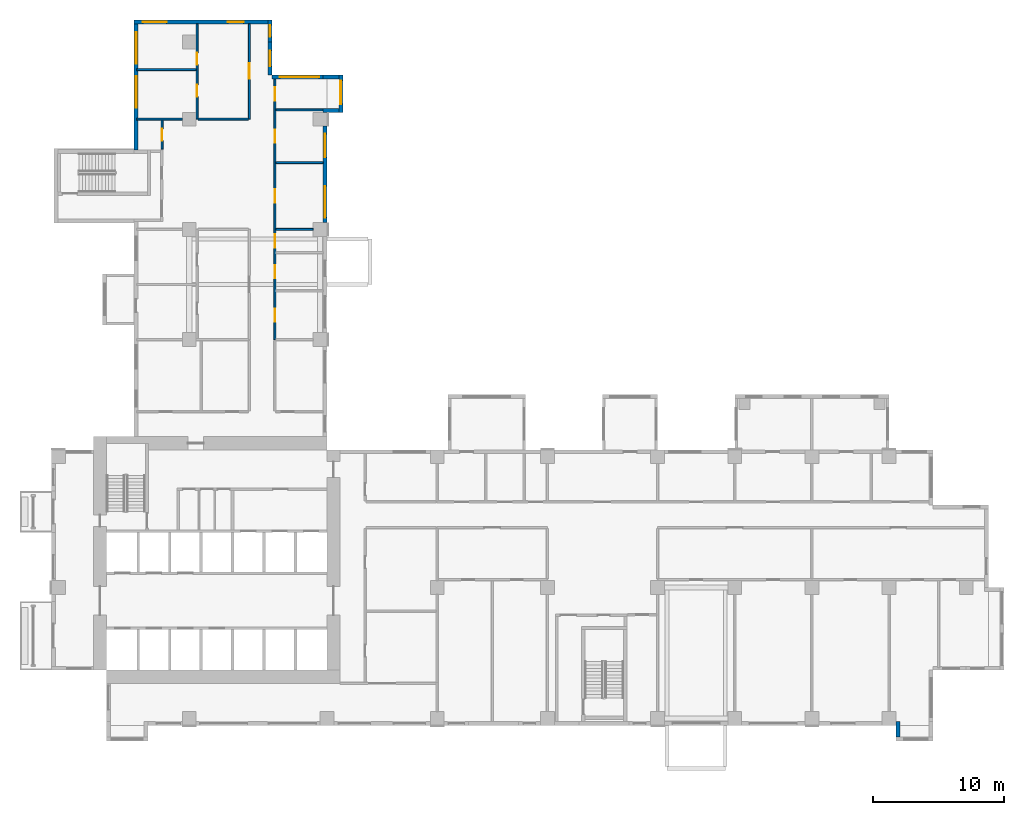
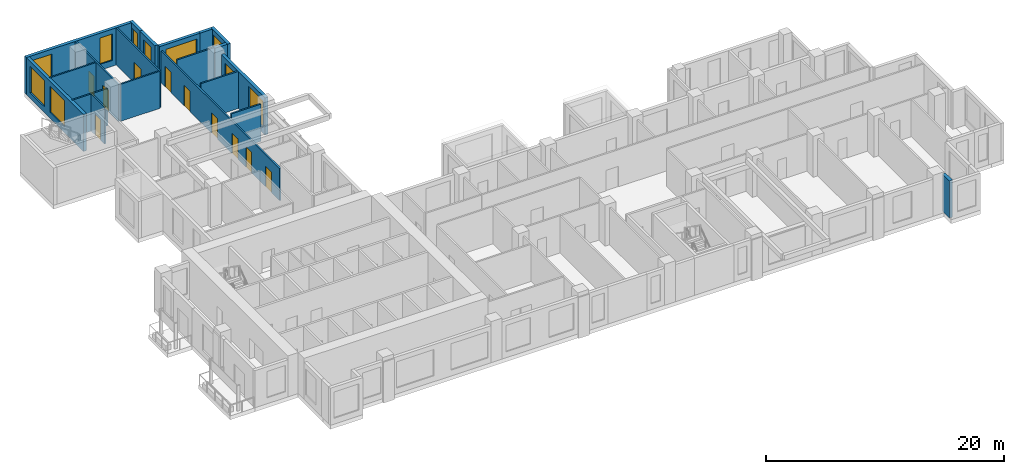
# One storey, part 7 of 14: 20 walls, 10 doors, 10 windows, 20 openings.
"""IFC4 building model written with IfcOpenShell, lengths in metres."""

from ifc_helpers import new_model, si_unit, direction, frame, frame_2d, origin, place, context, subcontext, project, spatial, rectangle, extrude, source, transform, mapped, material, layer, layer_set, type_object, element, fill, save


model = new_model("IFC4")

# Units and contexts
model_context = context("Model", 3, precision=1e-05, world=origin(), true_north=direction((0.0, 1.0)))
body_context = subcontext(model_context, "Body", "Model", "MODEL_VIEW")
ifc_project = project(units=[si_unit("LENGTHUNIT", "METRE"), si_unit("AREAUNIT", "SQUARE_METRE"), si_unit("VOLUMEUNIT", "CUBIC_METRE"), si_unit("PLANEANGLEUNIT", "RADIAN"), si_unit("MASSUNIT", "GRAM", prefix="KILO")], contexts=[model_context])

# Site, building, storey
site_placement = place(None, origin())
site = spatial("IfcSite", under=ifc_project, at=site_placement, CompositionType="ELEMENT")
building_placement = place(site_placement, origin())
building = spatial("IfcBuilding", under=site, at=building_placement, Name="Aurelian Terraces", CompositionType="ELEMENT")
storey_placement = place(building_placement, frame((0.0, 0.0, 141.3)))
storey = spatial("IfcBuildingStorey", under=building, at=storey_placement, Name="L31", CompositionType="ELEMENT", Elevation=141.3)

# Wall, opening, window
ifc_material_1 = material(Name="Terracotta rainscreen cladding", Category="masonry")
ifc_layer_1 = layer(ifc_material_1, 0.3)
ifc_layer_set_1 = layer_set([ifc_layer_1], Name="EW-300")
wall_type_1 = type_object("IfcWallType", Name="EW-300", PredefinedType="STANDARD", material=ifc_layer_set_1)
shared_shape_1 = source(origin(), body_context, "Body", "SweptSolid", [
    extrude(rectangle(XDim=4.2, YDim=0.3, at=frame_2d((2.1, 0.0))), origin(), (0.0, 0.0, 1.0), 3.8),
])
wall_1_placement = place(storey_placement, frame((21.0, 49.41, 0.0), z_axis=(0.0, 0.0, 1.0), x_axis=(-1.0, 0.0, 0.0)))
wall_1 = element("IfcWall", 1, at=wall_1_placement, inside=storey, type_object=wall_type_1, Name="External wall L31 F09.24", PredefinedType="STANDARD", context=body_context, shape_type="MappedRepresentation", body=[
    mapped(shared_shape_1, transform((0.0, 0.0, 0.0), scale=1.0)),
])
shared_shape_2 = source(origin(), body_context, "Body", "SweptSolid", [
    extrude(rectangle(XDim=3.0, YDim=2.7, at=frame_2d((1.5, 1.35))), frame((0.0, 0.16, 0.0), z_axis=(0.0, -1.0, 0.0), x_axis=(1.0, 0.0, 0.0)), (0.0, 0.0, 1.0), 0.32),
])
opening_1_placement = place(wall_1_placement, frame((0.6, 0.0, 0.6)))
opening_1 = element("IfcOpeningElement", 2, at=opening_1_placement, cuts=wall_1, Name="Opening W3027", PredefinedType="OPENING", context=body_context, shape_type="MappedRepresentation", body=[
    mapped(shared_shape_2, transform((0.0, 0.0, 0.0), scale=1.0)),
])
ifc_material_2 = material(Name="Clear glazing", Category="glass")
window_type_1 = type_object("IfcWindowType", Name="W-3000x2700", PartitioningType="SINGLE_PANEL", PredefinedType="WINDOW", material=ifc_material_2)
shared_shape_3 = source(origin(), body_context, "Body", "SweptSolid", [
    extrude(rectangle(XDim=3.0, YDim=2.7, at=frame_2d((1.5, 1.35))), frame((0.0, 0.03, 0.0), z_axis=(0.0, -1.0, 0.0), x_axis=(1.0, 0.0, 0.0)), (0.0, 0.0, 1.0), 0.06),
])
window_1_placement = place(opening_1_placement, origin())
window_1 = element("IfcWindow", 3, at=window_1_placement, inside=storey, type_object=window_type_1, Name="Window L31 L31-F09-24-0", OverallHeight=2.7, OverallWidth=3.0, PartitioningType="SINGLE_PANEL", PredefinedType="WINDOW", context=body_context, shape_type="MappedRepresentation", body=[
    mapped(shared_shape_3, transform((0.0, 0.0, 0.0), scale=1.0)),
])
fill(opening_1, window_1)

# Walls
shared_shape_4 = source(origin(), body_context, "Body", "SweptSolid", [
    extrude(rectangle(XDim=1.2, YDim=0.3, at=frame_2d((0.6, 0.0))), origin(), (0.0, 0.0, 1.0), 3.8),
])
for number, where, z_axis, x_axis, name in (
    (4, (64.515, 0.3, 0.0), (0.0, 0.0, 1.0), (0.0, -1.0, 0.0), "Bay return L31 F01.10.1"),
    (5, (20.7, 46.875, 0.0), (0.0, 0.0, 1.0), (1.0, 0.0, 0.0), "Bay return L31 F08.23.1"),
    (6, (20.7, 49.41, 0.0), (0.0, 0.0, 1.0), (1.0, 0.0, 0.0), "Bay return L31 F08.23.2"),
):
    element("IfcWall", number, at=place(storey_placement, frame(where, z_axis=z_axis, x_axis=x_axis)), inside=storey, type_object=wall_type_1, Name=name, PredefinedType="STANDARD", context=body_context, shape_type="MappedRepresentation", body=[
        mapped(shared_shape_4, transform((0.0, 0.0, 0.0), scale=1.0)),
    ])

# Wall, opening, window
shared_shape_5 = source(origin(), body_context, "Body", "SweptSolid", [
    extrude(rectangle(XDim=2.52, YDim=0.3, at=frame_2d((1.26, 0.0))), origin(), (0.0, 0.0, 1.0), 3.8),
])
wall_2_placement = place(storey_placement, frame((16.65, 49.56, 0.0), z_axis=(0.0, 0.0, 1.0), x_axis=(0.0, 1.0, 0.0)))
wall_2 = element("IfcWall", 7, at=wall_2_placement, inside=storey, type_object=wall_type_1, Name="External wall L31 F10.25", PredefinedType="STANDARD", context=body_context, shape_type="MappedRepresentation", body=[
    mapped(shared_shape_5, transform((0.0, 0.0, 0.0), scale=1.0)),
])
shared_shape_6 = source(origin(), body_context, "Body", "SweptSolid", [
    extrude(rectangle(XDim=1.2, YDim=2.7, at=frame_2d((0.6, 1.35))), frame((0.0, 0.16, 0.0), z_axis=(0.0, -1.0, 0.0), x_axis=(1.0, 0.0, 0.0)), (0.0, 0.0, 1.0), 0.32),
])
opening_2_placement = place(wall_2_placement, frame((0.66, 0.0, 0.6)))
opening_2 = element("IfcOpeningElement", 8, at=opening_2_placement, cuts=wall_2, Name="Opening W1227", PredefinedType="OPENING", context=body_context, shape_type="MappedRepresentation", body=[
    mapped(shared_shape_6, transform((0.0, 0.0, 0.0), scale=1.0)),
])
window_type_2 = type_object("IfcWindowType", Name="W-1200x2700", PartitioningType="SINGLE_PANEL", PredefinedType="WINDOW", material=ifc_material_2)
shared_shape_7 = source(origin(), body_context, "Body", "SweptSolid", [
    extrude(rectangle(XDim=1.2, YDim=2.7, at=frame_2d((0.6, 1.35))), frame((0.0, 0.03, 0.0), z_axis=(0.0, -1.0, 0.0), x_axis=(1.0, 0.0, 0.0)), (0.0, 0.0, 1.0), 0.06),
])
window_2_placement = place(opening_2_placement, origin())
window_2 = element("IfcWindow", 9, at=window_2_placement, inside=storey, type_object=window_type_2, Name="Window L31 L31-F10-25-0", OverallHeight=2.7, OverallWidth=1.2, PartitioningType="SINGLE_PANEL", PredefinedType="WINDOW", context=body_context, shape_type="MappedRepresentation", body=[
    mapped(shared_shape_7, transform((0.0, 0.0, 0.0), scale=1.0)),
])
fill(opening_2, window_2)

shared_shape_8 = source(origin(), body_context, "Body", "SweptSolid", [
    extrude(rectangle(XDim=1.68, YDim=0.3, at=frame_2d((0.84, 0.0))), origin(), (0.0, 0.0, 1.0), 3.8),
])
wall_3_placement = place(storey_placement, frame((16.65, 52.08, 0.0), z_axis=(0.0, 0.0, 1.0), x_axis=(0.0, 1.0, 0.0)))
wall_3 = element("IfcWall", 10, at=wall_3_placement, inside=storey, type_object=wall_type_1, Name="External wall L31 F10.26", PredefinedType="STANDARD", context=body_context, shape_type="MappedRepresentation", body=[
    mapped(shared_shape_8, transform((0.0, 0.0, 0.0), scale=1.0)),
])
shared_shape_9 = source(origin(), body_context, "Body", "SweptSolid", [
    extrude(rectangle(XDim=0.9, YDim=2.7, at=frame_2d((0.45, 1.35))), frame((0.0, 0.16, 0.0), z_axis=(0.0, -1.0, 0.0), x_axis=(1.0, 0.0, 0.0)), (0.0, 0.0, 1.0), 0.32),
])
opening_3_placement = place(wall_3_placement, frame((0.39, 0.0, 0.6)))
opening_3 = element("IfcOpeningElement", 11, at=opening_3_placement, cuts=wall_3, Name="Opening W0927", PredefinedType="OPENING", context=body_context, shape_type="MappedRepresentation", body=[
    mapped(shared_shape_9, transform((0.0, 0.0, 0.0), scale=1.0)),
])
window_type_3 = type_object("IfcWindowType", Name="W-900x2700", PartitioningType="SINGLE_PANEL", PredefinedType="WINDOW", material=ifc_material_2)
shared_shape_10 = source(origin(), body_context, "Body", "SweptSolid", [
    extrude(rectangle(XDim=0.9, YDim=2.7, at=frame_2d((0.45, 1.35))), frame((0.0, 0.03, 0.0), z_axis=(0.0, -1.0, 0.0), x_axis=(1.0, 0.0, 0.0)), (0.0, 0.0, 1.0), 0.06),
])
window_3_placement = place(opening_3_placement, origin())
window_3 = element("IfcWindow", 12, at=window_3_placement, inside=storey, type_object=window_type_3, Name="Window L31 L31-F10-26-P0", OverallHeight=2.7, OverallWidth=0.9, PartitioningType="SINGLE_PANEL", PredefinedType="WINDOW", context=body_context, shape_type="MappedRepresentation", body=[
    mapped(shared_shape_10, transform((0.0, 0.0, 0.0), scale=1.0)),
])
fill(opening_3, window_3)

# Wall, openings, windows
shared_shape_11 = source(origin(), body_context, "Body", "SweptSolid", [
    extrude(rectangle(XDim=7.35, YDim=0.3, at=frame_2d((3.675, 0.0))), origin(), (0.0, 0.0, 1.0), 3.8),
])
wall_4_placement = place(storey_placement, frame((20.85, 38.325, 0.0), z_axis=(0.0, 0.0, 1.0), x_axis=(0.0, 1.0, 0.0)))
wall_4 = element("IfcWall", 13, at=wall_4_placement, inside=storey, type_object=wall_type_1, Name="External wall L31 F08.22", PredefinedType="STANDARD", context=body_context, shape_type="MappedRepresentation", body=[
    mapped(shared_shape_11, transform((0.0, 0.0, 0.0), scale=1.0)),
])
shared_shape_12 = source(origin(), body_context, "Body", "SweptSolid", [
    extrude(rectangle(XDim=2.4, YDim=2.7, at=frame_2d((1.2, 1.35))), frame((0.0, 0.16, 0.0), z_axis=(0.0, -1.0, 0.0), x_axis=(1.0, 0.0, 0.0)), (0.0, 0.0, 1.0), 0.32),
])
opening_4_placement = place(wall_4_placement, frame((0.375, 0.0, 0.6)))
opening_4 = element("IfcOpeningElement", 14, at=opening_4_placement, cuts=wall_4, Name="Opening W2427", PredefinedType="OPENING", context=body_context, shape_type="MappedRepresentation", body=[
    mapped(shared_shape_12, transform((0.0, 0.0, 0.0), scale=1.0)),
])
shared_shape_13 = source(origin(), body_context, "Body", "SweptSolid", [
    extrude(rectangle(XDim=1.8, YDim=2.7, at=frame_2d((0.9, 1.35))), frame((0.0, 0.16, 0.0), z_axis=(0.0, -1.0, 0.0), x_axis=(1.0, 0.0, 0.0)), (0.0, 0.0, 1.0), 0.32),
])
opening_5_placement = place(wall_4_placement, frame((4.9605, 0.0, 0.6)))
opening_5 = element("IfcOpeningElement", 15, at=opening_5_placement, cuts=wall_4, Name="Opening W1827", PredefinedType="OPENING", context=body_context, shape_type="MappedRepresentation", body=[
    mapped(shared_shape_13, transform((0.0, 0.0, 0.0), scale=1.0)),
])
window_type_4 = type_object("IfcWindowType", Name="W-2400x2700", PartitioningType="SINGLE_PANEL", PredefinedType="WINDOW", material=ifc_material_2)
shared_shape_14 = source(origin(), body_context, "Body", "SweptSolid", [
    extrude(rectangle(XDim=2.4, YDim=2.7, at=frame_2d((1.2, 1.35))), frame((0.0, 0.03, 0.0), z_axis=(0.0, -1.0, 0.0), x_axis=(1.0, 0.0, 0.0)), (0.0, 0.0, 1.0), 0.06),
])
window_4_placement = place(opening_4_placement, origin())
window_4 = element("IfcWindow", 16, at=window_4_placement, inside=storey, type_object=window_type_4, Name="Window L31 L31-F08-22-0", OverallHeight=2.7, OverallWidth=2.4, PartitioningType="SINGLE_PANEL", PredefinedType="WINDOW", context=body_context, shape_type="MappedRepresentation", body=[
    mapped(shared_shape_14, transform((0.0, 0.0, 0.0), scale=1.0)),
])
fill(opening_4, window_4)
window_type_5 = type_object("IfcWindowType", Name="W-1800x2700", PartitioningType="SINGLE_PANEL", PredefinedType="WINDOW", material=ifc_material_2)
shared_shape_15 = source(origin(), body_context, "Body", "SweptSolid", [
    extrude(rectangle(XDim=1.8, YDim=2.7, at=frame_2d((0.9, 1.35))), frame((0.0, 0.03, 0.0), z_axis=(0.0, -1.0, 0.0), x_axis=(1.0, 0.0, 0.0)), (0.0, 0.0, 1.0), 0.06),
])
window_5_placement = place(opening_5_placement, origin())
window_5 = element("IfcWindow", 17, at=window_5_placement, inside=storey, type_object=window_type_5, Name="Window L31 L31-F08-22-1", OverallHeight=2.7, OverallWidth=1.8, PartitioningType="SINGLE_PANEL", PredefinedType="WINDOW", context=body_context, shape_type="MappedRepresentation", body=[
    mapped(shared_shape_15, transform((0.0, 0.0, 0.0), scale=1.0)),
])
fill(opening_5, window_5)

# Wall, opening, window
shared_shape_16 = source(origin(), body_context, "Body", "SweptSolid", [
    extrude(rectangle(XDim=2.835, YDim=0.3, at=frame_2d((1.4175, 0.0))), origin(), (0.0, 0.0, 1.0), 3.8),
])
wall_5_placement = place(storey_placement, frame((22.05, 46.725, 0.0), z_axis=(0.0, 0.0, 1.0), x_axis=(0.0, 1.0, 0.0)))
wall_5 = element("IfcWall", 18, at=wall_5_placement, inside=storey, type_object=wall_type_1, Name="Bay wall L31 F08.23", PredefinedType="STANDARD", context=body_context, shape_type="MappedRepresentation", body=[
    mapped(shared_shape_16, transform((0.0, 0.0, 0.0), scale=1.0)),
])
opening_6_placement = place(wall_5_placement, frame((0.6175, 0.0, 0.6)))
opening_6 = element("IfcOpeningElement", 19, at=opening_6_placement, cuts=wall_5, Name="Opening W1827", PredefinedType="OPENING", context=body_context, shape_type="MappedRepresentation", body=[
    mapped(shared_shape_13, transform((0.0, 0.0, 0.0), scale=1.0)),
])
window_6_placement = place(opening_6_placement, origin())
window_6 = element("IfcWindow", 20, at=window_6_placement, inside=storey, type_object=window_type_5, Name="Window L31 L31-F08-23-0", OverallHeight=2.7, OverallWidth=1.8, PartitioningType="SINGLE_PANEL", PredefinedType="WINDOW", context=body_context, shape_type="MappedRepresentation", body=[
    mapped(shared_shape_15, transform((0.0, 0.0, 0.0), scale=1.0)),
])
fill(opening_6, window_6)

# Wall, openings, windows
shared_shape_17 = source(origin(), body_context, "Body", "SweptSolid", [
    extrude(rectangle(XDim=10.5, YDim=0.3, at=frame_2d((5.25, 0.0))), origin(), (0.0, 0.0, 1.0), 3.8),
])
wall_6_placement = place(storey_placement, frame((16.8, 53.61, 0.0), z_axis=(0.0, 0.0, 1.0), x_axis=(-1.0, 0.0, 0.0)))
wall_6 = element("IfcWall", 21, at=wall_6_placement, inside=storey, type_object=wall_type_1, Name="External wall L31 F11.27", PredefinedType="STANDARD", context=body_context, shape_type="MappedRepresentation", body=[
    mapped(shared_shape_17, transform((0.0, 0.0, 0.0), scale=1.0)),
])
opening_7_placement = place(wall_6_placement, frame((2.15, 0.0, 0.6)))
opening_7 = element("IfcOpeningElement", 22, at=opening_7_placement, cuts=wall_6, Name="Opening W1227", PredefinedType="OPENING", context=body_context, shape_type="MappedRepresentation", body=[
    mapped(shared_shape_6, transform((0.0, 0.0, 0.0), scale=1.0)),
])
opening_8_placement = place(wall_6_placement, frame((8.025, 0.0, 0.6)))
opening_8 = element("IfcOpeningElement", 23, at=opening_8_placement, cuts=wall_6, Name="Opening W1827", PredefinedType="OPENING", context=body_context, shape_type="MappedRepresentation", body=[
    mapped(shared_shape_13, transform((0.0, 0.0, 0.0), scale=1.0)),
])
window_7_placement = place(opening_8_placement, origin())
window_7 = element("IfcWindow", 24, at=window_7_placement, inside=storey, type_object=window_type_5, Name="Window L31 L31-F11-27-2", OverallHeight=2.7, OverallWidth=1.8, PartitioningType="SINGLE_PANEL", PredefinedType="WINDOW", context=body_context, shape_type="MappedRepresentation", body=[
    mapped(shared_shape_15, transform((0.0, 0.0, 0.0), scale=1.0)),
])
fill(opening_8, window_7)
window_8_placement = place(opening_7_placement, origin())
window_8 = element("IfcWindow", 25, at=window_8_placement, inside=storey, type_object=window_type_2, Name="Window L31 L31-F11-27-0", OverallHeight=2.7, OverallWidth=1.2, PartitioningType="SINGLE_PANEL", PredefinedType="WINDOW", context=body_context, shape_type="MappedRepresentation", body=[
    mapped(shared_shape_7, transform((0.0, 0.0, 0.0), scale=1.0)),
])
fill(opening_7, window_8)

shared_shape_18 = source(origin(), body_context, "Body", "SweptSolid", [
    extrude(rectangle(XDim=9.91, YDim=0.3, at=frame_2d((4.955, 0.0))), origin(), (0.0, 0.0, 1.0), 3.8),
])
wall_7_placement = place(storey_placement, frame((6.45, 53.76, 0.0), z_axis=(0.0, 0.0, 1.0), x_axis=(0.0, -1.0, 0.0)))
wall_7 = element("IfcWall", 26, at=wall_7_placement, inside=storey, type_object=wall_type_1, Name="External wall L31 F12.28", PredefinedType="STANDARD", context=body_context, shape_type="MappedRepresentation", body=[
    mapped(shared_shape_18, transform((0.0, 0.0, 0.0), scale=1.0)),
])
opening_9_placement = place(wall_7_placement, frame((4.2725, 0.0, 0.6)))
opening_9 = element("IfcOpeningElement", 27, at=opening_9_placement, cuts=wall_7, Name="Opening W2427", PredefinedType="OPENING", context=body_context, shape_type="MappedRepresentation", body=[
    mapped(shared_shape_12, transform((0.0, 0.0, 0.0), scale=1.0)),
])
opening_10_placement = place(wall_7_placement, frame((0.9363, 0.0, 0.6)))
opening_10 = element("IfcOpeningElement", 28, at=opening_10_placement, cuts=wall_7, Name="Opening W2427", PredefinedType="OPENING", context=body_context, shape_type="MappedRepresentation", body=[
    mapped(shared_shape_12, transform((0.0, 0.0, 0.0), scale=1.0)),
])
window_9_placement = place(opening_9_placement, origin())
window_9 = element("IfcWindow", 29, at=window_9_placement, inside=storey, type_object=window_type_4, Name="Window L31 L31-F12-28-1", OverallHeight=2.7, OverallWidth=2.4, PartitioningType="SINGLE_PANEL", PredefinedType="WINDOW", context=body_context, shape_type="MappedRepresentation", body=[
    mapped(shared_shape_14, transform((0.0, 0.0, 0.0), scale=1.0)),
])
fill(opening_9, window_9)
window_10_placement = place(opening_10_placement, origin())
window_10 = element("IfcWindow", 30, at=window_10_placement, inside=storey, type_object=window_type_4, Name="Window L31 L31-F12-28-G0-0", OverallHeight=2.7, OverallWidth=2.4, PartitioningType="SINGLE_PANEL", PredefinedType="WINDOW", context=body_context, shape_type="MappedRepresentation", body=[
    mapped(shared_shape_14, transform((0.0, 0.0, 0.0), scale=1.0)),
])
fill(opening_10, window_10)

# Walls
ifc_material_3 = material(Name="Gypsum board on steel studs", Category="steel")
ifc_layer_2 = layer(ifc_material_3, 0.15)
ifc_layer_set_2 = layer_set([ifc_layer_2], Name="Partition 150")
wall_type_2 = type_object("IfcWallType", Name="Partition 150", PredefinedType="PARTITIONING", material=ifc_layer_set_2)
shared_shape_19 = source(origin(), body_context, "Body", "SweptSolid", [
    extrude(rectangle(XDim=3.6, YDim=0.15, at=frame_2d((1.8, 0.0))), origin(), (0.0, 0.0, 1.0), 3.8),
])
for number, where, z_axis, x_axis, name in (
    (31, (17.1, 42.8959, 0.0), (0.0, 0.0, 1.0), (1.0, 0.0, 0.0), "Partition"),
    (32, (17.1, 46.9126, 0.0), (0.0, 0.0, 1.0), (1.0, 0.0, 0.0), "Partition"),
):
    element("IfcWall", number, at=place(storey_placement, frame(where, z_axis=z_axis, x_axis=x_axis)), inside=storey, type_object=wall_type_2, Name=name, PredefinedType="PARTITIONING", context=body_context, shape_type="MappedRepresentation", body=[
        mapped(shared_shape_19, transform((0.0, 0.0, 0.0), scale=1.0)),
    ])

# Wall, opening, door
shared_shape_20 = source(origin(), body_context, "Body", "SweptSolid", [
    extrude(rectangle(XDim=2.2, YDim=0.15, at=frame_2d((1.1, 0.0))), origin(), (0.0, 0.0, 1.0), 3.8),
])
wall_8_placement = place(storey_placement, frame((8.425, 43.925, 0.0), z_axis=(0.0, 0.0, 1.0), x_axis=(0.0, 1.0, 0.0)))
wall_8 = element("IfcWall", 33, at=wall_8_placement, inside=storey, type_object=wall_type_2, Name="Partition", PredefinedType="PARTITIONING", context=body_context, shape_type="MappedRepresentation", body=[
    mapped(shared_shape_20, transform((0.0, 0.0, 0.0), scale=1.0)),
])
shared_shape_21 = source(origin(), body_context, "Body", "SweptSolid", [
    extrude(rectangle(XDim=0.9, YDim=2.1, at=frame_2d((0.45, 1.05))), frame((0.0, 0.085, 0.0), z_axis=(0.0, -1.0, 0.0), x_axis=(1.0, 0.0, 0.0)), (0.0, 0.0, 1.0), 0.17),
])
opening_11_placement = place(wall_8_placement, frame((0.65, 0.0, 0.0)))
opening_11 = element("IfcOpeningElement", 34, at=opening_11_placement, cuts=wall_8, Name="Opening 731027", PredefinedType="OPENING", context=body_context, shape_type="MappedRepresentation", body=[
    mapped(shared_shape_21, transform((0.0, 0.0, 0.0), scale=1.0)),
])
ifc_material_4 = material(Name="Timber door leaf", Category="wood")
door_type_1 = type_object("IfcDoorType", Name="Room door 900x2100 right", OperationType="SINGLE_SWING_RIGHT", PredefinedType="DOOR", material=ifc_material_4)
shared_shape_22 = source(origin(), body_context, "Body", "SweptSolid", [
    extrude(rectangle(XDim=0.9, YDim=2.1, at=frame_2d((0.45, 1.05))), frame((0.0, 0.025, 0.0), z_axis=(0.0, -1.0, 0.0), x_axis=(1.0, 0.0, 0.0)), (0.0, 0.0, 1.0), 0.05),
])
door_1_placement = place(opening_11_placement, origin())
door_1 = element("IfcDoor", 35, at=door_1_placement, inside=storey, type_object=door_type_1, Name="Door 731027", OperationType="SINGLE_SWING_RIGHT", OverallHeight=2.1, OverallWidth=0.9, PredefinedType="DOOR", context=body_context, shape_type="MappedRepresentation", body=[
    mapped(shared_shape_22, transform((0.0, 0.0, 0.0), scale=1.0)),
])
fill(opening_11, door_1)

# Wall, openings, doors
shared_shape_23 = source(origin(), body_context, "Body", "SweptSolid", [
    extrude(rectangle(XDim=7.26, YDim=0.15, at=frame_2d((3.63, 0.0))), origin(), (0.0, 0.0, 1.0), 3.8),
])
wall_9_placement = place(storey_placement, frame((11.1, 46.2, 0.0), z_axis=(0.0, 0.0, 1.0), x_axis=(0.0, 1.0, 0.0)))
wall_9 = element("IfcWall", 36, at=wall_9_placement, inside=storey, type_object=wall_type_2, Name="Partition", PredefinedType="PARTITIONING", context=body_context, shape_type="MappedRepresentation", body=[
    mapped(shared_shape_23, transform((0.0, 0.0, 0.0), scale=1.0)),
])
opening_12_placement = place(wall_9_placement, frame((1.715, 0.0, 0.0)))
opening_12 = element("IfcOpeningElement", 37, at=opening_12_placement, cuts=wall_9, Name="Opening 731032", PredefinedType="OPENING", context=body_context, shape_type="MappedRepresentation", body=[
    mapped(shared_shape_21, transform((0.0, 0.0, 0.0), scale=1.0)),
])
opening_13_placement = place(wall_9_placement, frame((4.155, 0.0, 0.0)))
opening_13 = element("IfcOpeningElement", 38, at=opening_13_placement, cuts=wall_9, Name="Opening 731033", PredefinedType="OPENING", context=body_context, shape_type="MappedRepresentation", body=[
    mapped(shared_shape_21, transform((0.0, 0.0, 0.0), scale=1.0)),
])
door_2_placement = place(opening_12_placement, origin())
door_2 = element("IfcDoor", 39, at=door_2_placement, inside=storey, type_object=door_type_1, Name="Door 731032", OperationType="SINGLE_SWING_RIGHT", OverallHeight=2.1, OverallWidth=0.9, PredefinedType="DOOR", context=body_context, shape_type="MappedRepresentation", body=[
    mapped(shared_shape_22, transform((0.0, 0.0, 0.0), scale=1.0)),
])
fill(opening_12, door_2)
door_type_2 = type_object("IfcDoorType", Name="Room door 900x2100 left", OperationType="SINGLE_SWING_LEFT", PredefinedType="DOOR", material=ifc_material_4)
door_3_placement = place(opening_13_placement, origin())
door_3 = element("IfcDoor", 40, at=door_3_placement, inside=storey, type_object=door_type_2, Name="Door 731033", OperationType="SINGLE_SWING_LEFT", OverallHeight=2.1, OverallWidth=0.9, PredefinedType="DOOR", context=body_context, shape_type="MappedRepresentation", body=[
    mapped(shared_shape_22, transform((0.0, 0.0, 0.0), scale=1.0)),
])
fill(opening_13, door_3)

# Wall, opening, door
ifc_layer_3 = layer(ifc_material_3, 0.15)
ifc_layer_set_3 = layer_set([ifc_layer_3], Name="Fire partition 150")
wall_type_3 = type_object("IfcWallType", Name="Fire partition 150", PredefinedType="PARTITIONING", material=ifc_layer_set_3)
wall_10_placement = place(storey_placement, frame((15.075, 46.2, 0.0), z_axis=(0.0, 0.0, 1.0), x_axis=(0.0, 1.0, 0.0)))
wall_10 = element("IfcWall", 41, at=wall_10_placement, inside=storey, type_object=wall_type_3, Name="Corridor wall", PredefinedType="PARTITIONING", context=body_context, shape_type="MappedRepresentation", body=[
    mapped(shared_shape_23, transform((0.0, 0.0, 0.0), scale=1.0)),
])
shared_shape_24 = source(origin(), body_context, "Body", "SweptSolid", [
    extrude(rectangle(XDim=1.2, YDim=2.1, at=frame_2d((0.6, 1.05))), frame((0.0, 0.085, 0.0), z_axis=(0.0, -1.0, 0.0), x_axis=(1.0, 0.0, 0.0)), (0.0, 0.0, 1.0), 0.17),
])
opening_14_placement = place(wall_10_placement, frame((3.0675, 0.0, 0.0)))
opening_14 = element("IfcOpeningElement", 42, at=opening_14_placement, cuts=wall_10, Name="Opening 731031", PredefinedType="OPENING", context=body_context, shape_type="MappedRepresentation", body=[
    mapped(shared_shape_24, transform((0.0, 0.0, 0.0), scale=1.0)),
])
door_type_3 = type_object("IfcDoorType", Name="Room door 1200x2100 left", OperationType="SINGLE_SWING_LEFT", PredefinedType="DOOR", material=ifc_material_4)
shared_shape_25 = source(origin(), body_context, "Body", "SweptSolid", [
    extrude(rectangle(XDim=1.2, YDim=2.1, at=frame_2d((0.6, 1.05))), frame((0.0, 0.025, 0.0), z_axis=(0.0, -1.0, 0.0), x_axis=(1.0, 0.0, 0.0)), (0.0, 0.0, 1.0), 0.05),
])
door_4_placement = place(opening_14_placement, origin())
door_4 = element("IfcDoor", 43, at=door_4_placement, inside=storey, type_object=door_type_3, Name="Door 731031", OperationType="SINGLE_SWING_LEFT", OverallHeight=2.1, OverallWidth=1.2, PredefinedType="DOOR", context=body_context, shape_type="MappedRepresentation", body=[
    mapped(shared_shape_25, transform((0.0, 0.0, 0.0), scale=1.0)),
])
fill(opening_14, door_4)

# Walls
shared_shape_26 = source(origin(), body_context, "Body", "SweptSolid", [
    extrude(rectangle(XDim=3.825, YDim=0.15, at=frame_2d((1.9125, 0.0))), origin(), (0.0, 0.0, 1.0), 3.8),
])
wall_11_placement = place(storey_placement, frame((15.0, 46.2, 0.0), z_axis=(0.0, 0.0, 1.0), x_axis=(-1.0, 0.0, 0.0)))
element("IfcWall", 44, at=wall_11_placement, inside=storey, type_object=wall_type_2, Name="Partition", PredefinedType="PARTITIONING", context=body_context, shape_type="MappedRepresentation", body=[
    mapped(shared_shape_26, transform((0.0, 0.0, 0.0), scale=1.0)),
])
shared_shape_27 = source(origin(), body_context, "Body", "SweptSolid", [
    extrude(rectangle(XDim=2.851, YDim=0.15, at=frame_2d((1.4255, 0.0))), origin(), (0.0, 0.0, 1.0), 3.8),
])
wall_12_placement = place(storey_placement, frame((19.951, 37.8, 0.0), z_axis=(0.0, 0.0, 1.0), x_axis=(-1.0, 0.0, 0.0)))
element("IfcWall", 45, at=wall_12_placement, inside=storey, type_object=wall_type_2, Name="Partition", PredefinedType="PARTITIONING", context=body_context, shape_type="MappedRepresentation", body=[
    mapped(shared_shape_27, transform((0.0, 0.0, 0.0), scale=1.0)),
])
shared_shape_28 = source(origin(), body_context, "Body", "SweptSolid", [
    extrude(rectangle(XDim=3.471, YDim=0.15, at=frame_2d((1.7355, 0.0))), origin(), (0.0, 0.0, 1.0), 3.8),
])
wall_13_placement = place(storey_placement, frame((9.976, 46.2, 0.0), z_axis=(0.0, 0.0, 1.0), x_axis=(-1.0, 0.0, 0.0)))
element("IfcWall", 46, at=wall_13_placement, inside=storey, type_object=wall_type_2, Name="Partition", PredefinedType="PARTITIONING", context=body_context, shape_type="MappedRepresentation", body=[
    mapped(shared_shape_28, transform((0.0, 0.0, 0.0), scale=1.0)),
])
shared_shape_29 = source(origin(), body_context, "Body", "SweptSolid", [
    extrude(rectangle(XDim=4.52, YDim=0.15, at=frame_2d((2.26, 0.0))), origin(), (0.0, 0.0, 1.0), 3.8),
])
wall_14_placement = place(storey_placement, frame((11.025, 49.98, 0.0), z_axis=(0.0, 0.0, 1.0), x_axis=(-1.0, 0.0, 0.0)))
element("IfcWall", 47, at=wall_14_placement, inside=storey, type_object=wall_type_2, Name="Partition", PredefinedType="PARTITIONING", context=body_context, shape_type="MappedRepresentation", body=[
    mapped(shared_shape_29, transform((0.0, 0.0, 0.0), scale=1.0)),
])

# Wall, openings, doors
shared_shape_30 = source(origin(), body_context, "Body", "SweptSolid", [
    extrude(rectangle(XDim=19.86, YDim=0.15, at=frame_2d((9.93, 0.0))), origin(), (0.0, 0.0, 1.0), 3.3),
])
wall_15_placement = place(storey_placement, frame((17.025, 49.26, 0.0), z_axis=(0.0, 0.0, 1.0), x_axis=(0.0, -1.0, 0.0)))
wall_15 = element("IfcWall", 48, at=wall_15_placement, inside=storey, type_object=wall_type_3, Name="Corridor wall", PredefinedType="PARTITIONING", context=body_context, shape_type="MappedRepresentation", body=[
    mapped(shared_shape_30, transform((0.0, 0.0, 0.0), scale=1.0)),
])
shared_shape_31 = source(origin(), body_context, "Body", "SweptSolid", [
    extrude(rectangle(XDim=1.0, YDim=2.1, at=frame_2d((0.5, 1.05))), frame((0.0, 0.085, 0.0), z_axis=(0.0, -1.0, 0.0), x_axis=(1.0, 0.0, 0.0)), (0.0, 0.0, 1.0), 0.17),
])
opening_15_placement = place(wall_15_placement, frame((17.5033, 0.0, 0.0)))
opening_15 = element("IfcOpeningElement", 49, at=opening_15_placement, cuts=wall_15, Name="Opening 731034", PredefinedType="OPENING", context=body_context, shape_type="MappedRepresentation", body=[
    mapped(shared_shape_31, transform((0.0, 0.0, 0.0), scale=1.0)),
])
opening_16_placement = place(wall_15_placement, frame((14.1914, 0.0, 0.0)))
opening_16 = element("IfcOpeningElement", 50, at=opening_16_placement, cuts=wall_15, Name="Opening 731035", PredefinedType="OPENING", context=body_context, shape_type="MappedRepresentation", body=[
    mapped(shared_shape_31, transform((0.0, 0.0, 0.0), scale=1.0)),
])
opening_17_placement = place(wall_15_placement, frame((11.848, 0.0, 0.0)))
opening_17 = element("IfcOpeningElement", 51, at=opening_17_placement, cuts=wall_15, Name="Opening 731036", PredefinedType="OPENING", context=body_context, shape_type="MappedRepresentation", body=[
    mapped(shared_shape_31, transform((0.0, 0.0, 0.0), scale=1.0)),
])
opening_18_placement = place(wall_15_placement, frame((8.4121, 0.0, 0.0)))
opening_18 = element("IfcOpeningElement", 52, at=opening_18_placement, cuts=wall_15, Name="Opening 731037", PredefinedType="OPENING", context=body_context, shape_type="MappedRepresentation", body=[
    mapped(shared_shape_31, transform((0.0, 0.0, 0.0), scale=1.0)),
])
opening_19_placement = place(wall_15_placement, frame((3.8558, 0.0, 0.0)))
opening_19 = element("IfcOpeningElement", 53, at=opening_19_placement, cuts=wall_15, Name="Opening 731038", PredefinedType="OPENING", context=body_context, shape_type="MappedRepresentation", body=[
    mapped(shared_shape_31, transform((0.0, 0.0, 0.0), scale=1.0)),
])
opening_20_placement = place(wall_15_placement, frame((0.6362, 0.0, 0.0)))
opening_20 = element("IfcOpeningElement", 54, at=opening_20_placement, cuts=wall_15, Name="Opening 731039", PredefinedType="OPENING", context=body_context, shape_type="MappedRepresentation", body=[
    mapped(shared_shape_31, transform((0.0, 0.0, 0.0), scale=1.0)),
])
door_type_4 = type_object("IfcDoorType", Name="Room door 1000x2100 left", OperationType="SINGLE_SWING_LEFT", PredefinedType="DOOR", material=ifc_material_4)
shared_shape_32 = source(origin(), body_context, "Body", "SweptSolid", [
    extrude(rectangle(XDim=1.0, YDim=2.1, at=frame_2d((0.5, 1.05))), frame((0.0, 0.025, 0.0), z_axis=(0.0, -1.0, 0.0), x_axis=(1.0, 0.0, 0.0)), (0.0, 0.0, 1.0), 0.05),
])
door_5_placement = place(opening_15_placement, origin())
door_5 = element("IfcDoor", 55, at=door_5_placement, inside=storey, type_object=door_type_4, Name="Door 731034", OperationType="SINGLE_SWING_LEFT", OverallHeight=2.1, OverallWidth=1.0, PredefinedType="DOOR", context=body_context, shape_type="MappedRepresentation", body=[
    mapped(shared_shape_32, transform((0.0, 0.0, 0.0), scale=1.0)),
])
fill(opening_15, door_5)
door_type_5 = type_object("IfcDoorType", Name="Room door 1000x2100 right", OperationType="SINGLE_SWING_RIGHT", PredefinedType="DOOR", material=ifc_material_4)
door_6_placement = place(opening_16_placement, origin())
door_6 = element("IfcDoor", 56, at=door_6_placement, inside=storey, type_object=door_type_5, Name="Door 731035", OperationType="SINGLE_SWING_RIGHT", OverallHeight=2.1, OverallWidth=1.0, PredefinedType="DOOR", context=body_context, shape_type="MappedRepresentation", body=[
    mapped(shared_shape_32, transform((0.0, 0.0, 0.0), scale=1.0)),
])
fill(opening_16, door_6)
door_7_placement = place(opening_17_placement, origin())
door_7 = element("IfcDoor", 57, at=door_7_placement, inside=storey, type_object=door_type_4, Name="Door 731036", OperationType="SINGLE_SWING_LEFT", OverallHeight=2.1, OverallWidth=1.0, PredefinedType="DOOR", context=body_context, shape_type="MappedRepresentation", body=[
    mapped(shared_shape_32, transform((0.0, 0.0, 0.0), scale=1.0)),
])
fill(opening_17, door_7)
door_8_placement = place(opening_18_placement, origin())
door_8 = element("IfcDoor", 58, at=door_8_placement, inside=storey, type_object=door_type_4, Name="Door 731037", OperationType="SINGLE_SWING_LEFT", OverallHeight=2.1, OverallWidth=1.0, PredefinedType="DOOR", context=body_context, shape_type="MappedRepresentation", body=[
    mapped(shared_shape_32, transform((0.0, 0.0, 0.0), scale=1.0)),
])
fill(opening_18, door_8)
door_9_placement = place(opening_19_placement, origin())
door_9 = element("IfcDoor", 59, at=door_9_placement, inside=storey, type_object=door_type_5, Name="Door 731038", OperationType="SINGLE_SWING_RIGHT", OverallHeight=2.1, OverallWidth=1.0, PredefinedType="DOOR", context=body_context, shape_type="MappedRepresentation", body=[
    mapped(shared_shape_32, transform((0.0, 0.0, 0.0), scale=1.0)),
])
fill(opening_19, door_9)
door_10_placement = place(opening_20_placement, origin())
door_10 = element("IfcDoor", 60, at=door_10_placement, inside=storey, type_object=door_type_4, Name="Door 731039", OperationType="SINGLE_SWING_LEFT", OverallHeight=2.1, OverallWidth=1.0, PredefinedType="DOOR", context=body_context, shape_type="MappedRepresentation", body=[
    mapped(shared_shape_32, transform((0.0, 0.0, 0.0), scale=1.0)),
])
fill(opening_20, door_10)

save(model, "model.ifc")
